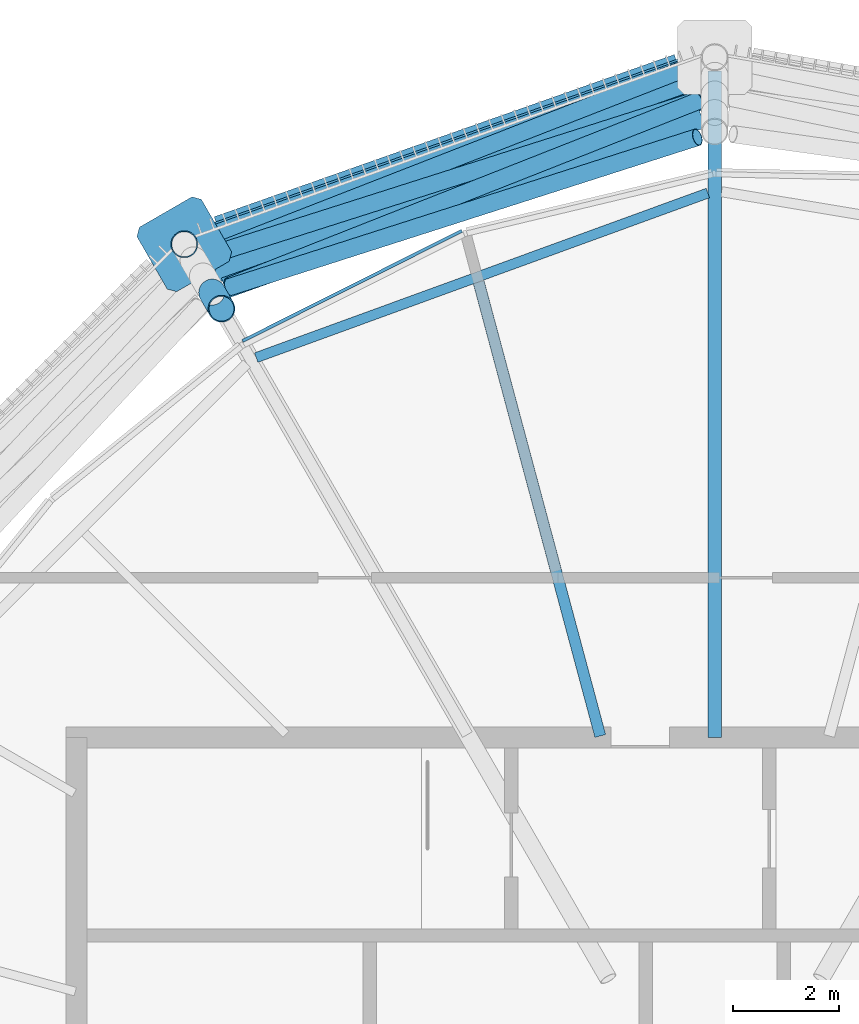
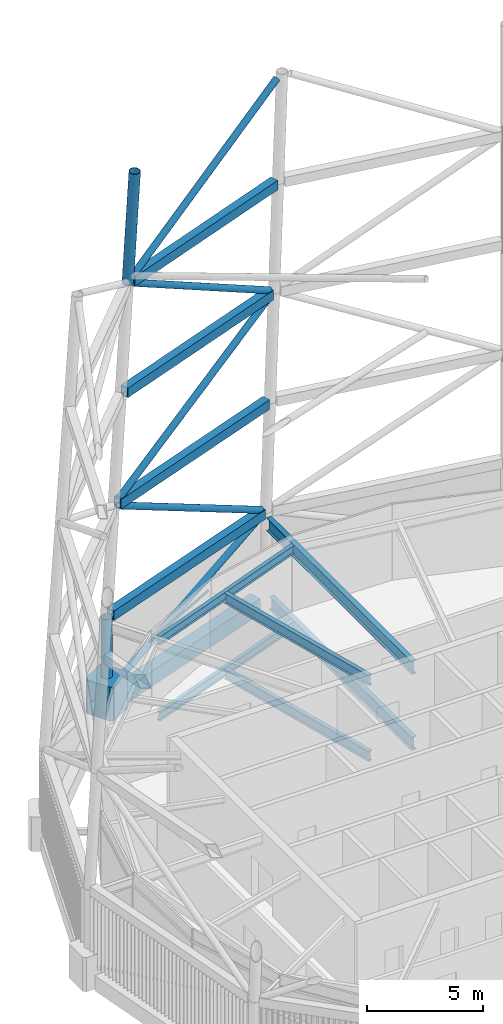
# One storey, part 57 of 71: 11 beams, 9 members, 1 element without a shape of its own.
"""IFC4 building model written with IfcOpenShell, lengths in metres."""

from ifc_helpers import new_model, si_unit, direction, frame, origin, origin_2d, place, context, subcontext, project, spatial, polyline, rectangle, hollow_rectangle, hollow_circle, i_section, outline, extrude, material, material_profile, profile_set, type_object, element, aggregate, save


model = new_model("IFC4")

# Units and contexts
model_context = context("Model", 3, precision=1e-05, world=origin(), true_north=direction((0.0, 1.0)))
body_context = subcontext(model_context, "Body", "Model", "MODEL_VIEW")
ifc_project = project(units=[si_unit("LENGTHUNIT", "METRE"), si_unit("AREAUNIT", "SQUARE_METRE"), si_unit("VOLUMEUNIT", "CUBIC_METRE"), si_unit("PLANEANGLEUNIT", "RADIAN"), si_unit("MASSUNIT", "GRAM", prefix="KILO")], contexts=[model_context])

# Site, building, storey
site_placement = place(None, origin())
site = spatial("IfcSite", under=ifc_project, at=site_placement, CompositionType="ELEMENT")
building_placement = place(site_placement, origin())
building = spatial("IfcBuilding", under=site, at=building_placement, Name="Rimbun Link Towers", CompositionType="ELEMENT")
storey_placement = place(building_placement, frame((0.0, 0.0, 267.60009765625)))
storey = spatial("IfcBuildingStorey", under=building, at=storey_placement, Name="L65", CompositionType="ELEMENT", Elevation=267.60009765625)

# Curtain wall, member
ifc_material_1 = material(Name="Aluminium 6063-T6 louvre wall", Category="aluminium")
curtain_wall_type = type_object("IfcCurtainWallType", Name="CW6 plant floor louvre wall", PredefinedType="NOTDEFINED", material=ifc_material_1)
curtain_wall_placement = place(storey_placement, origin())
curtain_wall = element("IfcCurtainWall", 1, at=curtain_wall_placement, inside=storey, type_object=curtain_wall_type, Name="CW6 L65 T2", PredefinedType="NOTDEFINED")
ifc_material_2 = material(Name="Aluminium 6063-T6", Category="aluminium")
ifc_material_profile_1 = material_profile(ifc_material_2, rectangle(XDim=0.06005859375, YDim=0.1201171875, at=origin_2d()), Name="TRANSOM 60X120")
ifc_profile_set_1 = profile_set([ifc_material_profile_1], Name="Aluminium 6063-T6")
member_type_1 = type_object("IfcMemberType", Name="CW6 transom 60X120", PredefinedType="USERDEFINED", material=ifc_profile_set_1)
member_1_placement = place(storey_placement, frame((22.870361328125, 15.454833984375, 3.39990234375), z_axis=(0.893653780124, 0.448757084924, 0.0), x_axis=(-0.448757084924, 0.893653780124, 0.0)))
member_1 = element("IfcMember", 2, at=member_1_placement, type_object=member_type_1, Name="CW6 transom", ObjectType="TRANSOM", PredefinedType="USERDEFINED", context=body_context, shape_type="SweptSolid", body=[
    extrude(rectangle(XDim=0.06005859375, YDim=0.1201171875, at=origin_2d()), origin(), (0.0, 0.0, 1.0), 4.61669921875),
])
aggregate(curtain_wall, [member_1])

# Members
ifc_material_3 = material(Name="Steel S355J2H", Category="steel")
ifc_material_profile_2 = material_profile(ifc_material_3, hollow_circle(Radius=0.161865234375, WallThickness=0.011962890625, at=origin_2d()), Name="Crown frame brace CHS 324x12")
ifc_profile_set_2 = profile_set([ifc_material_profile_2], Name="Steel S355J2H")
member_type_2 = type_object("IfcMemberType", Name="Crown frame brace CHS 324x12", PredefinedType="BRACE", material=ifc_profile_set_2)
member_2_placement = place(storey_placement, frame((22.1298828125, 17.398193359375, 0.141357421875), z_axis=(0.882089192598, 0.311039907345, 0.353797728004), x_axis=(-0.332548492242, 0.943086157415, 0.0)))
element("IfcMember", 3, at=member_2_placement, inside=storey, type_object=member_type_2, Name="CROWN FRAME brace T2 1-01", PredefinedType="BRACE", context=body_context, shape_type="SweptSolid", body=[
    extrude(hollow_circle(Radius=0.161865234375, WallThickness=0.011962890625, at=origin_2d()), origin(), (0.0, 0.0, 1.0), 10.506103515625),
])
member_3_placement = place(storey_placement, frame((31.42626953125, 20.664306640625, 4.197998046875), z_axis=(-0.809238869755, -0.315504058156, 0.495570016208), x_axis=(0.363246240454, -0.931693173097, 0.0)))
element("IfcMember", 4, at=member_3_placement, inside=storey, type_object=member_type_2, Name="CROWN FRAME brace T2 2-01", PredefinedType="BRACE", context=body_context, shape_type="SweptSolid", body=[
    extrude(hollow_circle(Radius=0.161865234375, WallThickness=0.011962890625, at=origin_2d()), origin(), (0.0, 0.0, 1.0), 11.3076171875),
])
member_4_placement = place(storey_placement, frame((22.28125, 17.075439453125, 10.201416015625), z_axis=(0.822998616878, 0.262051060829, 0.503986624958), x_axis=(-0.303401163137, 0.952862914698, 0.0)))
element("IfcMember", 5, at=member_4_placement, inside=storey, type_object=member_type_2, Name="CROWN FRAME brace T2 3-01", PredefinedType="BRACE", context=body_context, shape_type="SweptSolid", body=[
    extrude(hollow_circle(Radius=0.161865234375, WallThickness=0.011962890625, at=origin_2d()), origin(), (0.0, 0.0, 1.0), 11.105224609375),
])
member_5_placement = place(storey_placement, frame((31.4296875, 19.964111328125, 16.203369140625), z_axis=(-0.800948027458, -0.315872143774, 0.5086325256), x_axis=(0.366873541319, -0.930270823298, 0.0)))
element("IfcMember", 6, at=member_5_placement, inside=storey, type_object=member_type_2, Name="CROWN FRAME brace T2 4-01", PredefinedType="BRACE", context=body_context, shape_type="SweptSolid", body=[
    extrude(hollow_circle(Radius=0.161865234375, WallThickness=0.011962890625, at=origin_2d()), origin(), (0.0, 0.0, 1.0), 10.99609375),
])
member_6_placement = place(storey_placement, frame((22.6279296875, 16.46875, 22.206787109375), z_axis=(0.814893729942, 0.261008455509, 0.517515985312), x_axis=(-0.305032753362, 0.952341860561, 0.0)))
element("IfcMember", 7, at=member_6_placement, inside=storey, type_object=member_type_2, Name="CROWN FRAME brace T2 5-01", PredefinedType="BRACE", context=body_context, shape_type="SweptSolid", body=[
    extrude(hollow_circle(Radius=0.161865234375, WallThickness=0.011962890625, at=origin_2d()), origin(), (0.0, 0.0, 1.0), 10.794189453125),
])
ifc_material_4 = material(Name="Steel S355J2H", Category="steel")
ifc_material_profile_3 = material_profile(ifc_material_4, hollow_circle(Radius=0.25390625, WallThickness=0.02001953125, at=origin_2d()), Name="Crown frame post CHS 508x20")
ifc_profile_set_3 = profile_set([ifc_material_profile_3], Name="Steel S355J2H")
member_type_3 = type_object("IfcMemberType", Name="Crown frame post CHS 508x20", PredefinedType="POST", material=ifc_profile_set_3)
member_7_placement = place(storey_placement, frame((21.777099609375, 17.273681640625, 0.0), z_axis=(0.0, 0.0, 1.0), x_axis=(1.0, 0.0, 0.0)))
element("IfcMember", 8, at=member_7_placement, inside=storey, type_object=member_type_3, Name="CROWN FRAME post T2 1-02", PredefinedType="POST", context=body_context, shape_type="SweptSolid", body=[
    extrude(hollow_circle(Radius=0.25390625, WallThickness=0.02001953125, at=origin_2d()), origin(), (0.0, 0.0, 1.0), 4.0),
])
member_8_placement = place(storey_placement, frame((22.302001953125, 16.364501953125, 22.0), z_axis=(0.029125258621, -0.050451284808, 0.998301751562), x_axis=(0.866046247233, 0.49996389635, 0.0)))
element("IfcMember", 9, at=member_8_placement, inside=storey, type_object=member_type_3, Name="CROWN FRAME post T2 5-02", PredefinedType="POST", context=body_context, shape_type="SweptSolid", body=[
    extrude(hollow_circle(Radius=0.25390625, WallThickness=0.02001953125, at=origin_2d()), origin(), (0.0, 0.0, 1.0), 6.01025390625),
])

# Beams
ifc_material_5 = material(Name="Steel S355J2", Category="steel")
ifc_material_profile_4 = material_profile(ifc_material_5, hollow_rectangle(XDim=0.39990234375, YDim=0.5, WallThickness=0.02001953125, at=origin_2d()), Name="Crown frame ring beam BOX 400x500x20")
ifc_profile_set_4 = profile_set([ifc_material_profile_4], Name="Steel S355J2")
beam_type_1 = type_object("IfcBeamType", Name="Crown frame ring beam BOX 400x500x20", PredefinedType="BEAM", material=ifc_profile_set_4)
beam_1_placement = place(storey_placement, frame((31.510498046875, 20.7060546875, 4.0), z_axis=(-0.943080291996, -0.332565125727, 0.0), x_axis=(0.332565125727, -0.943080291996, 0.0)))
element("IfcBeam", 10, at=beam_1_placement, inside=storey, type_object=beam_type_1, Name="CROWN FRAME ring beam T2 1-01", PredefinedType="BEAM", context=body_context, shape_type="SweptSolid", body=[
    extrude(hollow_rectangle(XDim=0.39990234375, YDim=0.5, WallThickness=0.02001953125, at=origin_2d()), origin(), (0.0, 0.0, 1.0), 10.06689453125),
])
beam_2_placement = place(storey_placement, frame((31.510498046875, 20.355712890625, 10.0), z_axis=(-0.942634186804, -0.333827485191, 0.0), x_axis=(0.333827485191, -0.942634186804, 0.0)))
element("IfcBeam", 11, at=beam_2_placement, inside=storey, type_object=beam_type_1, Name="CROWN FRAME ring beam T2 2-01", PredefinedType="BEAM", context=body_context, shape_type="SweptSolid", body=[
    extrude(hollow_rectangle(XDim=0.39990234375, YDim=0.5, WallThickness=0.02001953125, at=origin_2d()), origin(), (0.0, 0.0, 1.0), 9.88623046875),
])
beam_3_placement = place(storey_placement, frame((31.5107421875, 20.00537109375, 16.0), z_axis=(-0.942172513006, -0.335128267588, 0.0), x_axis=(0.335128267588, -0.942172513006, 0.0)))
element("IfcBeam", 12, at=beam_3_placement, inside=storey, type_object=beam_type_1, Name="CROWN FRAME ring beam T2 3-01", PredefinedType="BEAM", context=body_context, shape_type="SweptSolid", body=[
    extrude(hollow_rectangle(XDim=0.39990234375, YDim=0.5, WallThickness=0.02001953125, at=origin_2d()), origin(), (0.0, 0.0, 1.0), 9.705810546875),
])
beam_4_placement = place(storey_placement, frame((31.5107421875, 19.655029296875, 22.0), z_axis=(-0.941685647704, -0.33649389431, 0.0), x_axis=(0.33649389431, -0.941685647704, 0.0)))
element("IfcBeam", 13, at=beam_4_placement, inside=storey, type_object=beam_type_1, Name="CROWN FRAME ring beam T2 4-01", PredefinedType="BEAM", context=body_context, shape_type="SweptSolid", body=[
    extrude(hollow_rectangle(XDim=0.39990234375, YDim=0.5, WallThickness=0.02001953125, at=origin_2d()), origin(), (0.0, 0.0, 1.0), 9.52490234375),
])

# Member
ifc_material_6 = material(Name="Cast steel G20Mn5+QT, Rp0.2 300 MPa", Category="steel")
ifc_material_profile_5 = material_profile(ifc_material_6, outline(polyline([(0.699951171875, -0.570068359375), (0.699951171875, 0.570068359375), (0.570068359375, 0.699951171875), (-0.570068359375, 0.699951171875), (-0.699951171875, 0.570068359375), (-0.699951171875, -0.570068359375), (-0.570068359375, -0.699951171875), (0.570068359375, -0.699951171875), (0.699951171875, -0.570068359375)])), Name="NODE 1400x1400")
ifc_profile_set_5 = profile_set([ifc_material_profile_5], Name="Cast steel G20Mn5+QT, Rp0.2 300 MPa")
member_type_4 = type_object("IfcMemberType", Name="Diagrid node cast 1400", PredefinedType="USERDEFINED", material=ifc_profile_set_5)
member_9_placement = place(storey_placement, frame((21.777099609375, 17.273681640625, -0.900146484375), z_axis=(0.0, 0.0, 1.0), x_axis=(-0.5, 0.866025403784, 0.0)))
element("IfcMember", 14, at=member_9_placement, inside=storey, type_object=member_type_4, Name="Diagrid node L65 05", ObjectType="Diagrid node", PredefinedType="USERDEFINED", context=body_context, shape_type="SweptSolid", body=[
    extrude(outline(polyline([(0.699951171875, -0.570068359375), (0.699951171875, 0.570068359375), (0.570068359375, 0.699951171875), (-0.570068359375, 0.699951171875), (-0.699951171875, 0.570068359375), (-0.699951171875, -0.570068359375), (-0.570068359375, -0.699951171875), (0.570068359375, -0.699951171875), (0.699951171875, -0.570068359375)])), origin(), (0.0, 0.0, 1.0), 1.800048828125),
])

# Beams
ifc_material_7 = material(Name="Steel S355J2", Category="steel")
ifc_material_profile_6 = material_profile(ifc_material_7, hollow_rectangle(XDim=0.60009765625, YDim=0.800048828125, WallThickness=0.0400390625, at=origin_2d()), Name="Exoskeleton ring girder BOX 600x800x40")
ifc_profile_set_6 = profile_set([ifc_material_profile_6], Name="Steel S355J2")
beam_type_2 = type_object("IfcBeamType", Name="Exoskeleton ring girder BOX 600x800x40", PredefinedType="BEAM", material=ifc_profile_set_6)
beam_5_placement = place(storey_placement, frame((31.08984375, 20.5576171875, -0.56005859375), z_axis=(-0.94308707245, -0.332545897249, 0.0), x_axis=(0.332545897249, -0.94308707245, 0.0)))
element("IfcBeam", 15, at=beam_5_placement, inside=storey, type_object=beam_type_2, Name="Exoskeleton ring girder L65 01", PredefinedType="BEAM", context=body_context, shape_type="SweptSolid", body=[
    extrude(hollow_rectangle(XDim=0.60009765625, YDim=0.800048828125, WallThickness=0.0400390625, at=origin_2d()), origin(), (0.0, 0.0, 1.0), 9.1748046875),
])
ifc_material_8 = material(Name="Steel S355J2", Category="steel")
ifc_material_profile_7 = material_profile(ifc_material_8, i_section(OverallWidth=0.18994140625, OverallDepth=0.453369140625, WebThickness=0.008544921875, FlangeThickness=0.0126953125, at=origin_2d()), Name="UB 457x191x67")
ifc_profile_set_7 = profile_set([ifc_material_profile_7], Name="Steel S355J2")
beam_type_3 = type_object("IfcBeamType", Name="UB 457x191x67", PredefinedType="BEAM", material=ifc_profile_set_7)
for number, where, z_axis, x_axis, name in (
    (16, (31.622314453125, 18.23681640625, -0.4267578125), (-0.939583478339, -0.342319860996, 0.0), (0.342319860996, -0.939583478339, 0.0), "Edge beam T2 L65 03-05"),
    (17, (31.622314453125, 18.23681640625, 3.5732421875), (-0.939583478339, -0.342319860996, 0.0), (0.342319860996, -0.939583478339, 0.0), "Edge beam T2 L65 03-05"),
):
    element("IfcBeam", number, at=place(storey_placement, frame(where, z_axis=z_axis, x_axis=x_axis)), inside=storey, type_object=beam_type_3, Name=name, PredefinedType="BEAM", context=body_context, shape_type="SweptSolid", body=[
        extrude(i_section(OverallWidth=0.18994140625, OverallDepth=0.453369140625, WebThickness=0.008544921875, FlangeThickness=0.0126953125, at=origin_2d()), origin(), (0.0, 0.0, 1.0), 9.0390625),
    ])
ifc_material_9 = material(Name="Steel S355J2", Category="steel")
ifc_material_profile_8 = material_profile(ifc_material_9, i_section(OverallWidth=0.209228515625, OverallDepth=0.533203125, WebThickness=0.010009765625, FlangeThickness=0.015625, at=origin_2d()), Name="UB 533x210x92")
ifc_profile_set_8 = profile_set([ifc_material_profile_8], Name="Steel S355J2")
beam_type_4 = type_object("IfcBeamType", Name="UB 533x210x92", PredefinedType="BEAM", material=ifc_profile_set_8)
for number, where, z_axis, x_axis, name in (
    (18, (29.598876953125, 8.028076171875, -0.466552734375), (-0.258829985177, 0.965922894838, 0.0), (-0.965922894838, -0.258829985177, 0.0), "Radial beam T2 L65 04"),
    (19, (29.598876953125, 8.028076171875, 3.533447265625), (-0.258829985177, 0.965922894838, 0.0), (-0.965922894838, -0.258829985177, 0.0), "Radial beam T2 L65 04"),
):
    element("IfcBeam", number, at=place(storey_placement, frame(where, z_axis=z_axis, x_axis=x_axis)), inside=storey, type_object=beam_type_4, Name=name, PredefinedType="BEAM", context=body_context, shape_type="SweptSolid", body=[
        extrude(i_section(OverallWidth=0.209228515625, OverallDepth=0.533203125, WebThickness=0.010009765625, FlangeThickness=0.015625, at=origin_2d()), origin(), (0.0, 0.0, 1.0), 8.83740234375),
    ])
ifc_material_10 = material(Name="Steel S355J2", Category="steel")
ifc_material_profile_9 = material_profile(ifc_material_10, i_section(OverallWidth=0.253662109375, OverallDepth=0.68359375, WebThickness=0.012451171875, FlangeThickness=0.01904296875, at=origin_2d()), Name="UB 686x254x140")
ifc_profile_set_9 = profile_set([ifc_material_profile_9], Name="Steel S355J2")
beam_type_5 = type_object("IfcBeamType", Name="UB 686x254x140", PredefinedType="BEAM", material=ifc_profile_set_9)
beam_6_placement = place(storey_placement, frame((31.75, 8.0009765625, -0.541748046875), z_axis=(0.0, 1.0, 0.0), x_axis=(-1.0, 0.0, 0.0)))
element("IfcBeam", 20, at=beam_6_placement, inside=storey, type_object=beam_type_5, Name="Radial beam T2 L65 03", PredefinedType="BEAM", context=body_context, shape_type="SweptSolid", body=[
    extrude(i_section(OverallWidth=0.253662109375, OverallDepth=0.68359375, WebThickness=0.012451171875, FlangeThickness=0.01904296875, at=origin_2d()), origin(), (0.0, 0.0, 1.0), 12.28955078125),
])
beam_7_placement = place(storey_placement, frame((31.75, 8.0009765625, 3.458251953125), z_axis=(0.0, 1.0, 0.0), x_axis=(-1.0, 0.0, 0.0)))
element("IfcBeam", 21, at=beam_7_placement, inside=storey, type_object=beam_type_5, Name="Radial beam T2 L65 03", PredefinedType="BEAM", context=body_context, shape_type="SweptSolid", body=[
    extrude(i_section(OverallWidth=0.253662109375, OverallDepth=0.68359375, WebThickness=0.012451171875, FlangeThickness=0.01904296875, at=origin_2d()), origin(), (0.0, 0.0, 1.0), 12.529541015625),
])

save(model, "model.ifc")
